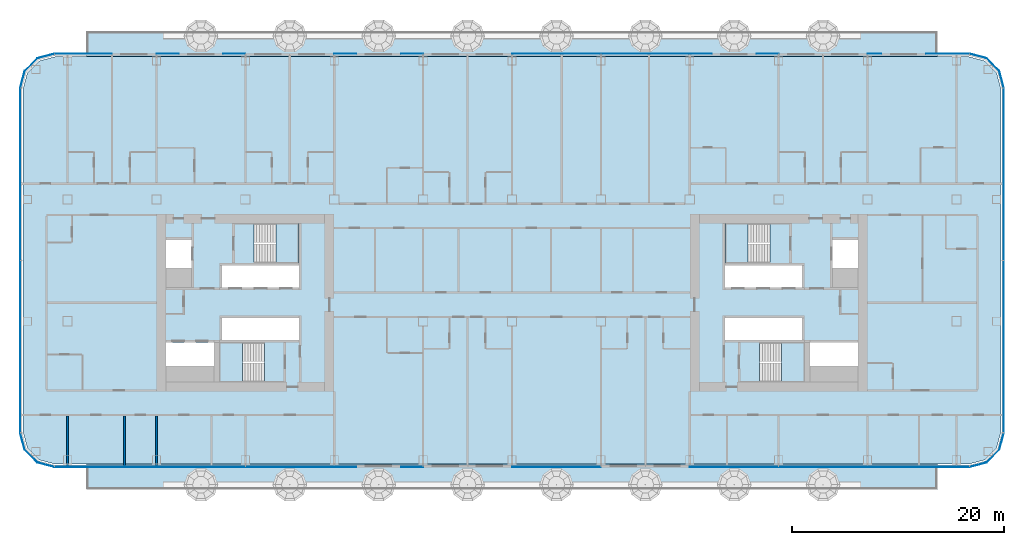
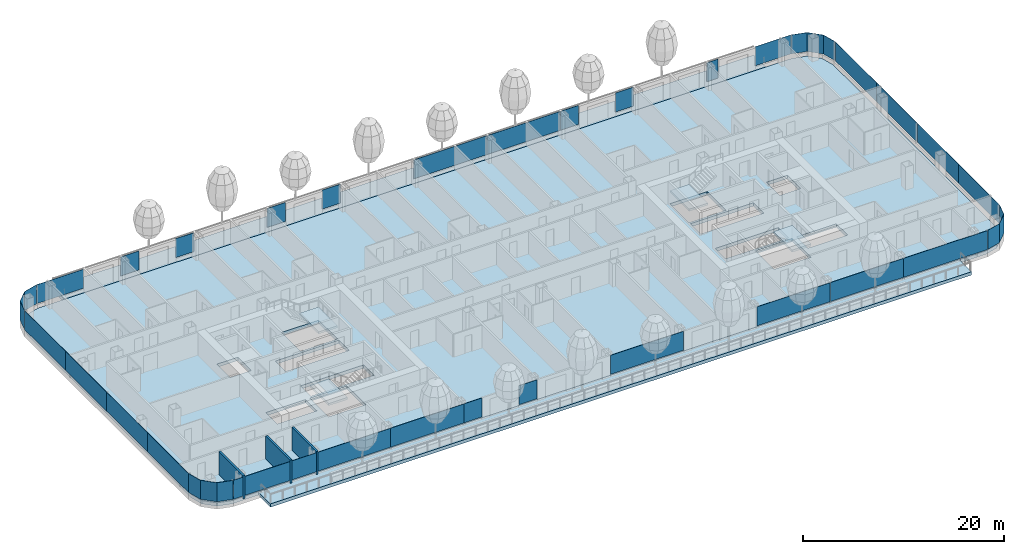
# One storey, part 10 of 33: 32 plates, 7 slabs, 3 walls, 12 elements without a shape of their own.
"""IFC4 building model written with IfcOpenShell, lengths in metres."""

from ifc_helpers import new_model, si_unit, direction, frame, frame_2d, origin, origin_2d, place, context, subcontext, project, spatial, polyline, rectangle, outline, extrude, material, layer, layer_set, type_object, element, aggregate, save


model = new_model("IFC4")

# Units and contexts
model_context = context("Model", 3, precision=1e-05, world=origin(), true_north=direction((0.0, 1.0)))
body_context = subcontext(model_context, "Body", "Model", "MODEL_VIEW")
ifc_project = project(units=[si_unit("LENGTHUNIT", "METRE"), si_unit("AREAUNIT", "SQUARE_METRE"), si_unit("VOLUMEUNIT", "CUBIC_METRE"), si_unit("PLANEANGLEUNIT", "RADIAN"), si_unit("MASSUNIT", "GRAM", prefix="KILO")], contexts=[model_context])

# Site, building, storey
site_placement = place(None, origin())
site = spatial("IfcSite", under=ifc_project, at=site_placement, CompositionType="ELEMENT")
building_placement = place(site_placement, origin())
building = spatial("IfcBuilding", under=site, at=building_placement, Name="Hakoniwa Tower and Hamabe Station Hall", CompositionType="ELEMENT")
storey_placement = place(building_placement, frame((0.0, 0.0, 81.800048828125)))
storey = spatial("IfcBuildingStorey", under=building, at=storey_placement, Name="L22", CompositionType="ELEMENT", Elevation=81.800048828125)

# Slabs
ifc_material_1 = material(Name="Concrete C42", Category="concrete")
ifc_layer_1 = layer(ifc_material_1, 0.25)
ifc_layer_set_1 = layer_set([ifc_layer_1], Name="BALCONY SLAB 250")
slab_type_1 = type_object("IfcSlabType", Name="BALCONY SLAB 250", PredefinedType="FLOOR", material=ifc_layer_set_1)
slab_1_placement = place(storey_placement, frame((0.0, 0.0, -0.400146484375)))
element("IfcSlab", 1, at=slab_1_placement, inside=storey, type_object=slab_type_1, Name="Balcony slab L22 BAL-L22-N", PredefinedType="FLOOR", context=body_context, shape_type="SweptSolid", body=[
    extrude(outline(polyline([(-40.199951171875, 23.25), (40.199951171875, 23.25), (40.199951171875, 25.64990234375), (-40.199951171875, 25.64990234375), (-40.199951171875, 23.25)])), origin(), (0.0, 0.0, 1.0), 0.400146484375),
])
slab_2_placement = place(storey_placement, frame((0.0, 0.0, -0.400146484375)))
element("IfcSlab", 2, at=slab_2_placement, inside=storey, type_object=slab_type_1, Name="Balcony slab L22 BAL-L22-S", PredefinedType="FLOOR", context=body_context, shape_type="SweptSolid", body=[
    extrude(outline(polyline([(-40.199951171875, -17.64990234375), (40.199951171875, -17.64990234375), (40.199951171875, -15.25), (-40.199951171875, -15.25), (-40.199951171875, -17.64990234375)])), origin(), (0.0, 0.0, 1.0), 0.400146484375),
])

# Stair, slab
ifc_material_2 = material(Name="Concrete C40", Category="concrete")
stair_type = type_object("IfcStairType", Name="ESCAPE STAIR 1800", PredefinedType="HALF_TURN_STAIR", material=ifc_material_2)
stair_1_placement = place(storey_placement, origin())
stair_1 = element("IfcStair", 3, at=stair_1_placement, inside=storey, type_object=stair_type, Name="Escape stair ST-1 L22", PredefinedType="HALF_TURN_STAIR")
ifc_material_3 = material(Name="Concrete C40", Category="concrete")
ifc_layer_2 = layer(ifc_material_3, 0.25)
ifc_layer_set_2 = layer_set([ifc_layer_2], Name="CORE STAIR LANDING 250")
slab_type_2 = type_object("IfcSlabType", Name="CORE STAIR LANDING 250", PredefinedType="LANDING", material=ifc_layer_set_2)
slab_3_placement = place(storey_placement, frame((0.0, 0.0, 1.349853515625)))
slab_3 = element("IfcSlab", 4, at=slab_3_placement, type_object=slab_type_2, Name="ST-1 landing 1", PredefinedType="LANDING", context=body_context, shape_type="SweptSolid", body=[
    extrude(outline(polyline([(-22.320068359375, 3.75), (-20.14990234375, 3.75), (-20.14990234375, 7.5), (-22.320068359375, 7.5), (-22.320068359375, 3.75)])), origin(), (0.0, 0.0, 1.0), 0.25),
])
aggregate(stair_1, [slab_3])

stair_2_placement = place(storey_placement, origin())
stair_2 = element("IfcStair", 5, at=stair_2_placement, inside=storey, type_object=stair_type, Name="Escape stair ST-2 L22", PredefinedType="HALF_TURN_STAIR")
slab_4_placement = place(storey_placement, frame((0.0, 0.0, 1.349853515625)))
slab_4 = element("IfcSlab", 6, at=slab_4_placement, type_object=slab_type_2, Name="ST-2 landing 1", PredefinedType="LANDING", context=body_context, shape_type="SweptSolid", body=[
    extrude(outline(polyline([(-25.47998046875, -7.5), (-27.64990234375, -7.5), (-27.64990234375, -3.75), (-25.47998046875, -3.75), (-25.47998046875, -7.5)])), origin(), (0.0, 0.0, 1.0), 0.25),
])
aggregate(stair_2, [slab_4])

stair_3_placement = place(storey_placement, origin())
stair_3 = element("IfcStair", 7, at=stair_3_placement, inside=storey, type_object=stair_type, Name="Escape stair ST-3 L22", PredefinedType="HALF_TURN_STAIR")
slab_5_placement = place(storey_placement, frame((0.0, 0.0, 1.349853515625)))
slab_5 = element("IfcSlab", 8, at=slab_5_placement, type_object=slab_type_2, Name="ST-3 landing 1", PredefinedType="LANDING", context=body_context, shape_type="SweptSolid", body=[
    extrude(outline(polyline([(22.320068359375, 3.75), (20.14990234375, 3.75), (20.14990234375, 7.5), (22.320068359375, 7.5), (22.320068359375, 3.75)])), origin(), (0.0, 0.0, 1.0), 0.25),
])
aggregate(stair_3, [slab_5])

stair_4_placement = place(storey_placement, origin())
stair_4 = element("IfcStair", 9, at=stair_4_placement, inside=storey, type_object=stair_type, Name="Escape stair ST-4 L22", PredefinedType="HALF_TURN_STAIR")
slab_6_placement = place(storey_placement, frame((0.0, 0.0, 1.349853515625)))
slab_6 = element("IfcSlab", 10, at=slab_6_placement, type_object=slab_type_2, Name="ST-4 landing 1", PredefinedType="LANDING", context=body_context, shape_type="SweptSolid", body=[
    extrude(outline(polyline([(25.47998046875, -7.5), (27.64990234375, -7.5), (27.64990234375, -3.75), (25.47998046875, -3.75), (25.47998046875, -7.5)])), origin(), (0.0, 0.0, 1.0), 0.25),
])
aggregate(stair_4, [slab_6])

# Curtain wall, plates
ifc_material_4 = material(Name="Dark low-e laminated glass", Category="glass")
ifc_layer_3 = layer(ifc_material_4, 0.199951171875)
ifc_layer_set_3 = layer_set([ifc_layer_3], Name="CW-1 UNITISED GUEST")
curtain_wall_type = type_object("IfcCurtainWallType", Name="CW-1 UNITISED GUEST", PredefinedType="NOTDEFINED", material=ifc_layer_set_3)
curtain_wall_1_placement = place(storey_placement, origin())
curtain_wall_1 = element("IfcCurtainWall", 11, at=curtain_wall_1_placement, inside=storey, type_object=curtain_wall_type, Name="CW-1 curtain wall", PredefinedType="NOTDEFINED")
ifc_material_5 = material(Name="Dark low-e laminated glass", Category="glass")
ifc_layer_4 = layer(ifc_material_5, 0.028076171875)
ifc_layer_set_4 = layer_set([ifc_layer_4], Name="CW-1 GLASS UNIT")
plate_type = type_object("IfcPlateType", Name="CW-1 GLASS UNIT", PredefinedType="CURTAIN_PANEL", material=ifc_layer_set_4)
plate_1_placement = place(storey_placement, frame((46.486083984375, -8.217041015625, 0.35009765625), z_axis=(0.0, 0.0, 1.0), x_axis=(0.0, 1.0, 0.0)))
plate_1 = element("IfcPlate", 12, at=plate_1_placement, type_object=plate_type, Name="CW-1 glass unit", PredefinedType="CURTAIN_PANEL", context=body_context, shape_type="SweptSolid", body=[
    extrude(rectangle(XDim=8.124755859375, YDim=0.028076171875, at=origin_2d()), origin(), (0.0, 0.0, 1.0), 2.300048828125),
])
plate_2_placement = place(storey_placement, frame((46.486083984375, -0.072265625, 0.35009765625), z_axis=(0.0, 0.0, 1.0), x_axis=(0.0, 1.0, 0.0)))
plate_2 = element("IfcPlate", 13, at=plate_2_placement, type_object=plate_type, Name="CW-1 glass unit", PredefinedType="CURTAIN_PANEL", context=body_context, shape_type="SweptSolid", body=[
    extrude(rectangle(XDim=8.124755859375, YDim=0.028076171875, at=origin_2d()), origin(), (0.0, 0.0, 1.0), 2.300048828125),
])
plate_3_placement = place(storey_placement, frame((46.486083984375, 8.072265625, 0.35009765625), z_axis=(0.0, 0.0, 1.0), x_axis=(0.0, 1.0, 0.0)))
plate_3 = element("IfcPlate", 14, at=plate_3_placement, type_object=plate_type, Name="CW-1 glass unit", PredefinedType="CURTAIN_PANEL", context=body_context, shape_type="SweptSolid", body=[
    extrude(rectangle(XDim=8.124755859375, YDim=0.028076171875, at=origin_2d()), origin(), (0.0, 0.0, 1.0), 2.300048828125),
])
plate_4_placement = place(storey_placement, frame((46.486083984375, 16.217041015625, 0.35009765625), z_axis=(0.0, 0.0, 1.0), x_axis=(0.0, 1.0, 0.0)))
plate_4 = element("IfcPlate", 15, at=plate_4_placement, type_object=plate_type, Name="CW-1 glass unit", PredefinedType="CURTAIN_PANEL", context=body_context, shape_type="SweptSolid", body=[
    extrude(rectangle(XDim=8.124755859375, YDim=0.028076171875, at=origin_2d()), origin(), (0.0, 0.0, 1.0), 2.300048828125),
])
aggregate(curtain_wall_1, [plate_1, plate_2, plate_3, plate_4])

# Curtain wall, plate
curtain_wall_2_placement = place(storey_placement, origin())
curtain_wall_2 = element("IfcCurtainWall", 16, at=curtain_wall_2_placement, inside=storey, type_object=curtain_wall_type, Name="CW-1 curtain wall", PredefinedType="NOTDEFINED")
plate_5_placement = place(storey_placement, frame((0.0, 0.0, 0.349853515625)))
plate_5 = element("IfcPlate", 17, at=plate_5_placement, type_object=plate_type, Name="CW-1 curved corner unit", PredefinedType="CURTAIN_PANEL", context=body_context, shape_type="SweptSolid", body=[
    extrude(outline(polyline([(46.48974609375, 20.328125), (46.067138671875, 21.9052734375), (44.855224609375, 23.116943359375), (43.278076171875, 23.53955078125), (43.27099609375, 23.5126953125), (44.8408203125, 23.092041015625), (46.0419921875, 21.890869140625), (46.462646484375, 20.32080078125), (46.48974609375, 20.328125)])), origin(), (0.0, 0.0, 1.0), 2.300048828125),
])
aggregate(curtain_wall_2, [plate_5])

# Curtain wall, plates
curtain_wall_3_placement = place(storey_placement, origin())
curtain_wall_3 = element("IfcCurtainWall", 18, at=curtain_wall_3_placement, inside=storey, type_object=curtain_wall_type, Name="CW-1 curtain wall", PredefinedType="NOTDEFINED")
plate_6_placement = place(storey_placement, frame((41.18212890625, 23.535888671875, 0.35009765625), z_axis=(0.0, 0.0, 1.0), x_axis=(-1.0, 0.0, 0.0)))
plate_6 = element("IfcPlate", 19, at=plate_6_placement, type_object=plate_type, Name="CW-1 glass unit", PredefinedType="CURTAIN_PANEL", context=body_context, shape_type="SweptSolid", body=[
    extrude(rectangle(XDim=4.094482421875, YDim=0.028076171875, at=origin_2d()), origin(), (0.0, 0.0, 1.0), 2.300048828125),
])
plate_7_placement = place(storey_placement, frame((34.262451171875, 23.535888671875, 0.35009765625), z_axis=(0.0, 0.0, 1.0), x_axis=(-1.0, 0.0, 0.0)))
plate_7 = element("IfcPlate", 20, at=plate_7_placement, type_object=plate_type, Name="CW-1 glass unit", PredefinedType="CURTAIN_PANEL", context=body_context, shape_type="SweptSolid", body=[
    extrude(rectangle(XDim=1.304931640625, YDim=0.028076171875, at=origin_2d()), origin(), (0.0, 0.0, 1.0), 2.300048828125),
])
plate_8_placement = place(storey_placement, frame((24.14990234375, 23.535888671875, 0.35009765625), z_axis=(0.0, 0.0, 1.0), x_axis=(-1.0, 0.0, 0.0)))
plate_8 = element("IfcPlate", 21, at=plate_8_placement, type_object=plate_type, Name="CW-1 glass unit", PredefinedType="CURTAIN_PANEL", context=body_context, shape_type="SweptSolid", body=[
    extrude(rectangle(XDim=2.080078125, YDim=0.028076171875, at=origin_2d()), origin(), (0.0, 0.0, 1.0), 2.300048828125),
])
plate_9_placement = place(storey_placement, frame((17.85009765625, 23.535888671875, 0.35009765625), z_axis=(0.0, 0.0, 1.0), x_axis=(-1.0, 0.0, 0.0)))
plate_9 = element("IfcPlate", 22, at=plate_9_placement, type_object=plate_type, Name="CW-1 glass unit", PredefinedType="CURTAIN_PANEL", context=body_context, shape_type="SweptSolid", body=[
    extrude(rectangle(XDim=2.080078125, YDim=0.028076171875, at=origin_2d()), origin(), (0.0, 0.0, 1.0), 2.300048828125),
])
plate_10_placement = place(storey_placement, frame((12.60009765625, 23.535888671875, 0.35009765625), z_axis=(0.0, 0.0, 1.0), x_axis=(-1.0, 0.0, 0.0)))
plate_10 = element("IfcPlate", 23, at=plate_10_placement, type_object=plate_type, Name="CW-1 glass unit", PredefinedType="CURTAIN_PANEL", context=body_context, shape_type="SweptSolid", body=[
    extrude(rectangle(XDim=8.3798828125, YDim=0.028076171875, at=origin_2d()), origin(), (0.0, 0.0, 1.0), 2.300048828125),
])
plate_11_placement = place(storey_placement, frame((4.199951171875, 23.535888671875, 0.35009765625), z_axis=(0.0, 0.0, 1.0), x_axis=(-1.0, 0.0, 0.0)))
plate_11 = element("IfcPlate", 24, at=plate_11_placement, type_object=plate_type, Name="CW-1 glass unit", PredefinedType="CURTAIN_PANEL", context=body_context, shape_type="SweptSolid", body=[
    extrude(rectangle(XDim=8.3798828125, YDim=0.028076171875, at=origin_2d()), origin(), (0.0, 0.0, 1.0), 2.300048828125),
])
plate_12_placement = place(storey_placement, frame((-9.449951171875, 23.535888671875, 0.35009765625), z_axis=(0.0, 0.0, 1.0), x_axis=(-1.0, 0.0, 0.0)))
plate_12 = element("IfcPlate", 25, at=plate_12_placement, type_object=plate_type, Name="CW-1 glass unit", PredefinedType="CURTAIN_PANEL", context=body_context, shape_type="SweptSolid", body=[
    extrude(rectangle(XDim=2.080078125, YDim=0.028076171875, at=origin_2d()), origin(), (0.0, 0.0, 1.0), 2.300048828125),
])
plate_13_placement = place(storey_placement, frame((-15.75, 23.535888671875, 0.35009765625), z_axis=(0.0, 0.0, 1.0), x_axis=(-1.0, 0.0, 0.0)))
plate_13 = element("IfcPlate", 26, at=plate_13_placement, type_object=plate_type, Name="CW-1 glass unit", PredefinedType="CURTAIN_PANEL", context=body_context, shape_type="SweptSolid", body=[
    extrude(rectangle(XDim=2.080078125, YDim=0.028076171875, at=origin_2d()), origin(), (0.0, 0.0, 1.0), 2.300048828125),
])
plate_14_placement = place(storey_placement, frame((-26.25, 23.535888671875, 0.35009765625), z_axis=(0.0, 0.0, 1.0), x_axis=(-1.0, 0.0, 0.0)))
plate_14 = element("IfcPlate", 27, at=plate_14_placement, type_object=plate_type, Name="CW-1 glass unit", PredefinedType="CURTAIN_PANEL", context=body_context, shape_type="SweptSolid", body=[
    extrude(rectangle(XDim=2.080078125, YDim=0.028076171875, at=origin_2d()), origin(), (0.0, 0.0, 1.0), 2.300048828125),
])
plate_15_placement = place(storey_placement, frame((-32.550048828125, 23.535888671875, 0.35009765625), z_axis=(0.0, 0.0, 1.0), x_axis=(-1.0, 0.0, 0.0)))
plate_15 = element("IfcPlate", 28, at=plate_15_placement, type_object=plate_type, Name="CW-1 glass unit", PredefinedType="CURTAIN_PANEL", context=body_context, shape_type="SweptSolid", body=[
    extrude(rectangle(XDim=2.080078125, YDim=0.028076171875, at=origin_2d()), origin(), (0.0, 0.0, 1.0), 2.300048828125),
])
plate_16_placement = place(storey_placement, frame((-40.53466796875, 23.535888671875, 0.35009765625), z_axis=(0.0, 0.0, 1.0), x_axis=(-1.0, 0.0, 0.0)))
plate_16 = element("IfcPlate", 29, at=plate_16_placement, type_object=plate_type, Name="CW-1 glass unit", PredefinedType="CURTAIN_PANEL", context=body_context, shape_type="SweptSolid", body=[
    extrude(rectangle(XDim=5.389404296875, YDim=0.028076171875, at=origin_2d()), origin(), (0.0, 0.0, 1.0), 2.300048828125),
])
aggregate(curtain_wall_3, [plate_6, plate_7, plate_8, plate_9, plate_10, plate_11, plate_12, plate_13, plate_14, plate_15, plate_16])

# Curtain wall, plate
curtain_wall_4_placement = place(storey_placement, origin())
curtain_wall_4 = element("IfcCurtainWall", 30, at=curtain_wall_4_placement, inside=storey, type_object=curtain_wall_type, Name="CW-1 curtain wall", PredefinedType="NOTDEFINED")
plate_17_placement = place(storey_placement, frame((0.0, 0.0, 0.349853515625)))
plate_17 = element("IfcPlate", 31, at=plate_17_placement, type_object=plate_type, Name="CW-1 curved corner unit", PredefinedType="CURTAIN_PANEL", context=body_context, shape_type="SweptSolid", body=[
    extrude(outline(polyline([(-43.278076171875, 23.53955078125), (-44.855224609375, 23.116943359375), (-46.067138671875, 21.9052734375), (-46.48974609375, 20.328125), (-46.462646484375, 20.32080078125), (-46.0419921875, 21.890869140625), (-44.8408203125, 23.092041015625), (-43.27099609375, 23.5126953125), (-43.278076171875, 23.53955078125)])), origin(), (0.0, 0.0, 1.0), 2.300048828125),
])
aggregate(curtain_wall_4, [plate_17])

# Curtain wall, plates
curtain_wall_5_placement = place(storey_placement, origin())
curtain_wall_5 = element("IfcCurtainWall", 32, at=curtain_wall_5_placement, inside=storey, type_object=curtain_wall_type, Name="CW-1 curtain wall", PredefinedType="NOTDEFINED")
plate_18_placement = place(storey_placement, frame((-46.486083984375, 16.217041015625, 0.35009765625), z_axis=(0.0, 0.0, 1.0), x_axis=(0.0, -1.0, 0.0)))
plate_18 = element("IfcPlate", 33, at=plate_18_placement, type_object=plate_type, Name="CW-1 glass unit", PredefinedType="CURTAIN_PANEL", context=body_context, shape_type="SweptSolid", body=[
    extrude(rectangle(XDim=8.124755859375, YDim=0.028076171875, at=origin_2d()), origin(), (0.0, 0.0, 1.0), 2.300048828125),
])
plate_19_placement = place(storey_placement, frame((-46.486083984375, 8.072265625, 0.35009765625), z_axis=(0.0, 0.0, 1.0), x_axis=(0.0, -1.0, 0.0)))
plate_19 = element("IfcPlate", 34, at=plate_19_placement, type_object=plate_type, Name="CW-1 glass unit", PredefinedType="CURTAIN_PANEL", context=body_context, shape_type="SweptSolid", body=[
    extrude(rectangle(XDim=8.124755859375, YDim=0.028076171875, at=origin_2d()), origin(), (0.0, 0.0, 1.0), 2.300048828125),
])
plate_20_placement = place(storey_placement, frame((-46.486083984375, -0.072265625, 0.35009765625), z_axis=(0.0, 0.0, 1.0), x_axis=(0.0, -1.0, 0.0)))
plate_20 = element("IfcPlate", 35, at=plate_20_placement, type_object=plate_type, Name="CW-1 glass unit", PredefinedType="CURTAIN_PANEL", context=body_context, shape_type="SweptSolid", body=[
    extrude(rectangle(XDim=8.124755859375, YDim=0.028076171875, at=origin_2d()), origin(), (0.0, 0.0, 1.0), 2.300048828125),
])
plate_21_placement = place(storey_placement, frame((-46.486083984375, -8.217041015625, 0.35009765625), z_axis=(0.0, 0.0, 1.0), x_axis=(0.0, -1.0, 0.0)))
plate_21 = element("IfcPlate", 36, at=plate_21_placement, type_object=plate_type, Name="CW-1 glass unit", PredefinedType="CURTAIN_PANEL", context=body_context, shape_type="SweptSolid", body=[
    extrude(rectangle(XDim=8.124755859375, YDim=0.028076171875, at=origin_2d()), origin(), (0.0, 0.0, 1.0), 2.300048828125),
])
aggregate(curtain_wall_5, [plate_18, plate_19, plate_20, plate_21])

# Curtain wall, plate
curtain_wall_6_placement = place(storey_placement, origin())
curtain_wall_6 = element("IfcCurtainWall", 37, at=curtain_wall_6_placement, inside=storey, type_object=curtain_wall_type, Name="CW-1 curtain wall", PredefinedType="NOTDEFINED")
plate_22_placement = place(storey_placement, frame((0.0, 0.0, 0.349853515625)))
plate_22 = element("IfcPlate", 38, at=plate_22_placement, type_object=plate_type, Name="CW-1 curved corner unit", PredefinedType="CURTAIN_PANEL", context=body_context, shape_type="SweptSolid", body=[
    extrude(outline(polyline([(-46.48974609375, -12.328125), (-46.067138671875, -13.9052734375), (-44.855224609375, -15.116943359375), (-43.278076171875, -15.53955078125), (-43.27099609375, -15.5126953125), (-44.8408203125, -15.092041015625), (-46.0419921875, -13.890869140625), (-46.462646484375, -12.32080078125), (-46.48974609375, -12.328125)])), origin(), (0.0, 0.0, 1.0), 2.300048828125),
])
aggregate(curtain_wall_6, [plate_22])

# Curtain wall, plates
curtain_wall_7_placement = place(storey_placement, origin())
curtain_wall_7 = element("IfcCurtainWall", 39, at=curtain_wall_7_placement, inside=storey, type_object=curtain_wall_type, Name="CW-1 curtain wall", PredefinedType="NOTDEFINED")
plate_23_placement = place(storey_placement, frame((-38.419677734375, -15.535888671875, 0.35009765625), z_axis=(0.0, 0.0, 1.0), x_axis=(1.0, 0.0, 0.0)))
plate_23 = element("IfcPlate", 40, at=plate_23_placement, type_object=plate_type, Name="CW-1 glass unit", PredefinedType="CURTAIN_PANEL", context=body_context, shape_type="SweptSolid", body=[
    extrude(rectangle(XDim=9.619384765625, YDim=0.028076171875, at=origin_2d()), origin(), (0.0, 0.0, 1.0), 2.300048828125),
])
plate_24_placement = place(storey_placement, frame((-29.39990234375, -15.535888671875, 0.35009765625), z_axis=(0.0, 0.0, 1.0), x_axis=(1.0, 0.0, 0.0)))
plate_24 = element("IfcPlate", 41, at=plate_24_placement, type_object=plate_type, Name="CW-1 glass unit", PredefinedType="CURTAIN_PANEL", context=body_context, shape_type="SweptSolid", body=[
    extrude(rectangle(XDim=8.3798828125, YDim=0.028076171875, at=origin_2d()), origin(), (0.0, 0.0, 1.0), 2.300048828125),
])
plate_25_placement = place(storey_placement, frame((-21.0, -15.535888671875, 0.35009765625), z_axis=(0.0, 0.0, 1.0), x_axis=(1.0, 0.0, 0.0)))
plate_25 = element("IfcPlate", 42, at=plate_25_placement, type_object=plate_type, Name="CW-1 glass unit", PredefinedType="CURTAIN_PANEL", context=body_context, shape_type="SweptSolid", body=[
    extrude(rectangle(XDim=8.3798828125, YDim=0.028076171875, at=origin_2d()), origin(), (0.0, 0.0, 1.0), 2.300048828125),
])
plate_26_placement = place(storey_placement, frame((-15.75, -15.535888671875, 0.35009765625), z_axis=(0.0, 0.0, 1.0), x_axis=(1.0, 0.0, 0.0)))
plate_26 = element("IfcPlate", 43, at=plate_26_placement, type_object=plate_type, Name="CW-1 glass unit", PredefinedType="CURTAIN_PANEL", context=body_context, shape_type="SweptSolid", body=[
    extrude(rectangle(XDim=2.080078125, YDim=0.028076171875, at=origin_2d()), origin(), (0.0, 0.0, 1.0), 2.300048828125),
])
plate_27_placement = place(storey_placement, frame((-9.449951171875, -15.535888671875, 0.35009765625), z_axis=(0.0, 0.0, 1.0), x_axis=(1.0, 0.0, 0.0)))
plate_27 = element("IfcPlate", 44, at=plate_27_placement, type_object=plate_type, Name="CW-1 glass unit", PredefinedType="CURTAIN_PANEL", context=body_context, shape_type="SweptSolid", body=[
    extrude(rectangle(XDim=2.080078125, YDim=0.028076171875, at=origin_2d()), origin(), (0.0, 0.0, 1.0), 2.300048828125),
])
plate_28_placement = place(storey_placement, frame((4.199951171875, -15.535888671875, 0.35009765625), z_axis=(0.0, 0.0, 1.0), x_axis=(1.0, 0.0, 0.0)))
plate_28 = element("IfcPlate", 45, at=plate_28_placement, type_object=plate_type, Name="CW-1 glass unit", PredefinedType="CURTAIN_PANEL", context=body_context, shape_type="SweptSolid", body=[
    extrude(rectangle(XDim=8.3798828125, YDim=0.028076171875, at=origin_2d()), origin(), (0.0, 0.0, 1.0), 2.300048828125),
])
plate_29_placement = place(storey_placement, frame((21.0, -15.535888671875, 0.35009765625), z_axis=(0.0, 0.0, 1.0), x_axis=(1.0, 0.0, 0.0)))
plate_29 = element("IfcPlate", 46, at=plate_29_placement, type_object=plate_type, Name="CW-1 glass unit", PredefinedType="CURTAIN_PANEL", context=body_context, shape_type="SweptSolid", body=[
    extrude(rectangle(XDim=8.3798828125, YDim=0.028076171875, at=origin_2d()), origin(), (0.0, 0.0, 1.0), 2.300048828125),
])
plate_30_placement = place(storey_placement, frame((29.39990234375, -15.535888671875, 0.35009765625), z_axis=(0.0, 0.0, 1.0), x_axis=(1.0, 0.0, 0.0)))
plate_30 = element("IfcPlate", 47, at=plate_30_placement, type_object=plate_type, Name="CW-1 glass unit", PredefinedType="CURTAIN_PANEL", context=body_context, shape_type="SweptSolid", body=[
    extrude(rectangle(XDim=8.3798828125, YDim=0.028076171875, at=origin_2d()), origin(), (0.0, 0.0, 1.0), 2.300048828125),
])
plate_31_placement = place(storey_placement, frame((38.419677734375, -15.535888671875, 0.35009765625), z_axis=(0.0, 0.0, 1.0), x_axis=(1.0, 0.0, 0.0)))
plate_31 = element("IfcPlate", 48, at=plate_31_placement, type_object=plate_type, Name="CW-1 glass unit", PredefinedType="CURTAIN_PANEL", context=body_context, shape_type="SweptSolid", body=[
    extrude(rectangle(XDim=9.619384765625, YDim=0.028076171875, at=origin_2d()), origin(), (0.0, 0.0, 1.0), 2.300048828125),
])
aggregate(curtain_wall_7, [plate_23, plate_24, plate_25, plate_26, plate_27, plate_28, plate_29, plate_30, plate_31])

# Curtain wall, plate
curtain_wall_8_placement = place(storey_placement, origin())
curtain_wall_8 = element("IfcCurtainWall", 49, at=curtain_wall_8_placement, inside=storey, type_object=curtain_wall_type, Name="CW-1 curtain wall", PredefinedType="NOTDEFINED")
plate_32_placement = place(storey_placement, frame((0.0, 0.0, 0.349853515625)))
plate_32 = element("IfcPlate", 50, at=plate_32_placement, type_object=plate_type, Name="CW-1 curved corner unit", PredefinedType="CURTAIN_PANEL", context=body_context, shape_type="SweptSolid", body=[
    extrude(outline(polyline([(43.278076171875, -15.53955078125), (44.855224609375, -15.116943359375), (46.067138671875, -13.9052734375), (46.48974609375, -12.328125), (46.462646484375, -12.32080078125), (46.0419921875, -13.890869140625), (44.8408203125, -15.092041015625), (43.27099609375, -15.5126953125), (43.278076171875, -15.53955078125)])), origin(), (0.0, 0.0, 1.0), 2.300048828125),
])
aggregate(curtain_wall_8, [plate_32])

# Slab
ifc_material_6 = material(Name="Concrete C42", Category="concrete")
ifc_layer_5 = layer(ifc_material_6, 0.39990234375)
ifc_layer_set_5 = layer_set([ifc_layer_5], Name="PT FLAT PLATE 400")
slab_type_3 = type_object("IfcSlabType", Name="PT FLAT PLATE 400", PredefinedType="FLOOR", material=ifc_layer_set_5)
slab_7_placement = place(storey_placement, frame((0.0, 0.0, -0.400146484375)))
element("IfcSlab", 51, at=slab_7_placement, inside=storey, type_object=slab_type_3, Name="Floor slab L22", PredefinedType="FLOOR", context=body_context, shape_type="SweptSolid", body=[
    extrude(outline(polyline([(46.199951171875, -12.25), (46.199951171875, 20.25), (45.798095703125, 21.75), (44.699951171875, 22.84814453125), (43.199951171875, 23.25), (-43.199951171875, 23.25), (-44.699951171875, 22.84814453125), (-45.798095703125, 21.75), (-46.199951171875, 20.25), (-46.199951171875, -12.25), (-45.798095703125, -13.75), (-44.699951171875, -14.84814453125), (-43.199951171875, -15.25), (43.199951171875, -15.25), (44.699951171875, -14.84814453125), (45.798095703125, -13.75), (46.199951171875, -12.25)]), holes=[polyline([(-27.39990234375, 1.449951171875), (-27.39990234375, 3.5), (-20.14990234375, 3.5), (-20.14990234375, 1.449951171875), (-27.39990234375, 1.449951171875)]), polyline([(-27.39990234375, -3.5), (-27.39990234375, -1.449951171875), (-20.14990234375, -1.449951171875), (-20.14990234375, -3.5), (-27.39990234375, -3.5)]), polyline([(-32.699951171875, 3.300048828125), (-32.699951171875, 5.949951171875), (-30.300048828125, 5.949951171875), (-30.300048828125, 3.300048828125), (-32.699951171875, 3.300048828125)]), polyline([(-32.699951171875, -6.0), (-32.699951171875, -3.75), (-28.14990234375, -3.75), (-28.14990234375, -6.0), (-32.699951171875, -6.0)]), polyline([(-24.389892578125, 3.75), (-24.389892578125, 7.5), (-20.14990234375, 7.5), (-20.14990234375, 3.75), (-24.389892578125, 3.75)]), polyline([(-27.64990234375, -7.5), (-27.64990234375, -3.75), (-23.409912109375, -3.75), (-23.409912109375, -7.5), (-27.64990234375, -7.5)]), polyline([(20.14990234375, 1.449951171875), (20.14990234375, 3.5), (27.39990234375, 3.5), (27.39990234375, 1.449951171875), (20.14990234375, 1.449951171875)]), polyline([(20.14990234375, -3.5), (20.14990234375, -1.449951171875), (27.39990234375, -1.449951171875), (27.39990234375, -3.5), (20.14990234375, -3.5)]), polyline([(30.300048828125, 3.300048828125), (30.300048828125, 5.949951171875), (32.699951171875, 5.949951171875), (32.699951171875, 3.300048828125), (30.300048828125, 3.300048828125)]), polyline([(28.14990234375, -6.0), (28.14990234375, -3.75), (32.699951171875, -3.75), (32.699951171875, -6.0), (28.14990234375, -6.0)]), polyline([(20.14990234375, 3.75), (20.14990234375, 7.5), (24.389892578125, 7.5), (24.389892578125, 3.75), (20.14990234375, 3.75)]), polyline([(23.409912109375, -7.5), (23.409912109375, -3.75), (27.64990234375, -3.75), (27.64990234375, -7.5), (23.409912109375, -7.5)])]), origin(), (0.0, 0.0, 1.0), 0.400146484375),
])

# Walls
ifc_material_7 = material(Name="Fire-rated gypsum board partition", Category="gypsum")
ifc_layer_6 = layer(ifc_material_7, 0.199951171875)
ifc_layer_set_6 = layer_set([ifc_layer_6], Name="Party Wall 200")
wall_type = type_object("IfcWallType", Name="Party Wall 200", PredefinedType="PARTITIONING", material=ifc_layer_set_6)
for number, where, z_axis, x_axis, name in (
    (52, (-42.0, -15.550048828125, 0.0), (0.0, 0.0, 1.0), (0.0, 1.0, 0.0), "GW-L22-037"),
    (53, (-36.6201171875, -15.550048828125, 0.0), (0.0, 0.0, 1.0), (0.0, 1.0, 0.0), "GW-L22-043"),
    (54, (-33.60009765625, -15.550048828125, 0.0), (0.0, 0.0, 1.0), (0.0, 1.0, 0.0), "GW-L22-045"),
):
    element("IfcWall", number, at=place(storey_placement, frame(where, z_axis=z_axis, x_axis=x_axis)), inside=storey, type_object=wall_type, Name=name, PredefinedType="PARTITIONING", context=body_context, shape_type="SweptSolid", body=[
        extrude(rectangle(XDim=4.85009765625, YDim=0.199951171875, at=frame_2d((2.425048828125, 0.0))), origin(), (0.0, 0.0, 1.0), 2.800048828125),
    ])

save(model, "model.ifc")
